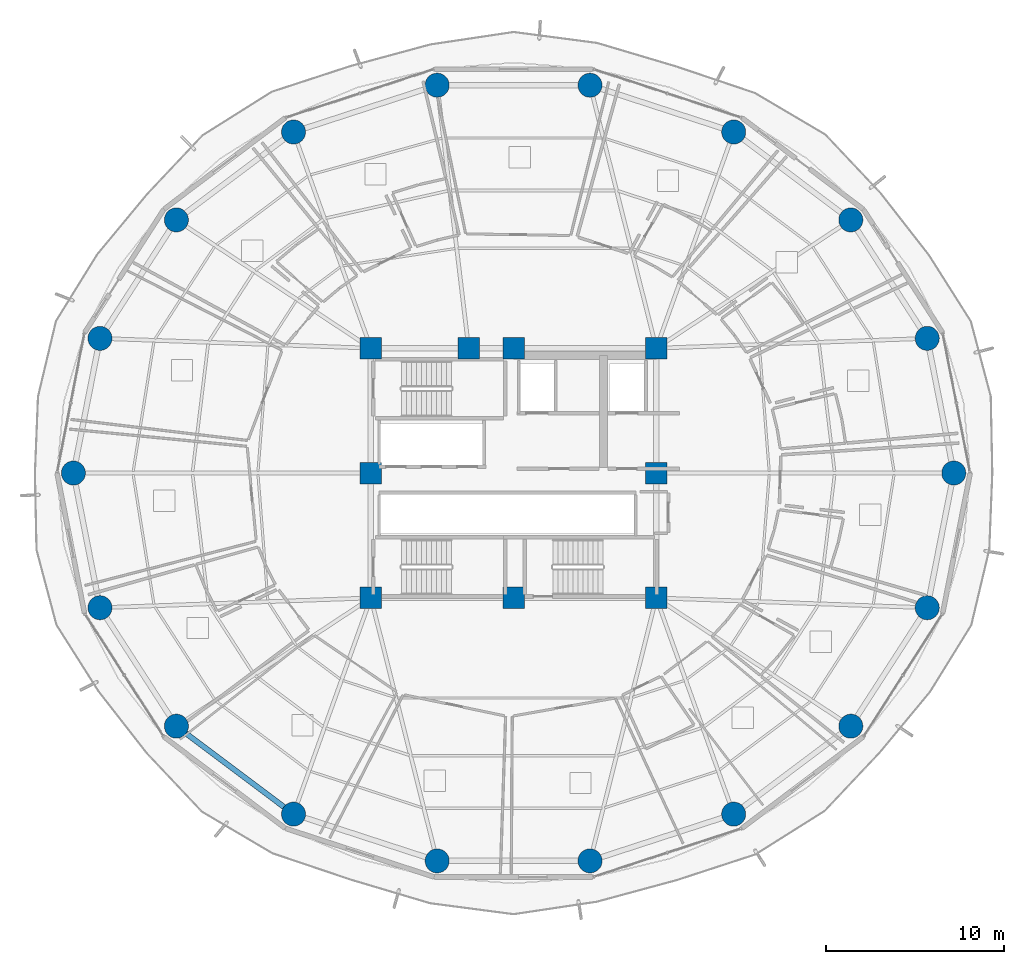
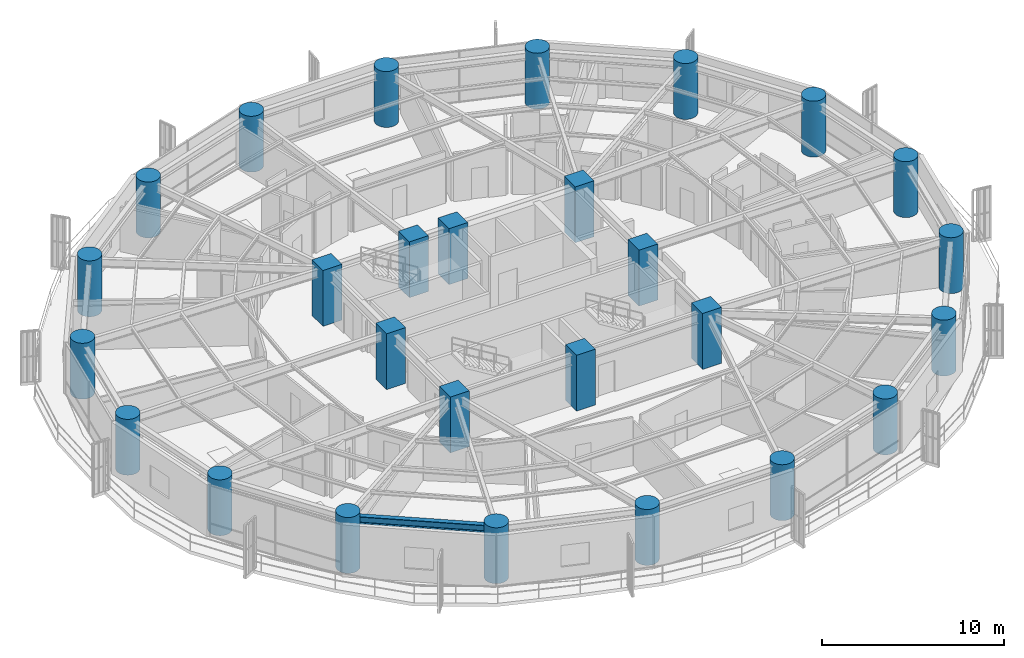
# One storey, part 1 of 38: 27 columns, 1 beam.
"""IFC4 building model written with IfcOpenShell, lengths in metres."""

from ifc_helpers import new_model, si_unit, direction, frame, origin, origin_2d, place, context, subcontext, project, spatial, rectangle, circle, i_section, extrude, material, material_profile, profile_set, type_object, element, save


model = new_model("IFC4")

# Units and contexts
model_context = context("Model", 3, precision=1e-05, world=origin(), true_north=direction((0.0, 1.0)))
body_context = subcontext(model_context, "Body", "Model", "MODEL_VIEW")
ifc_project = project(units=[si_unit("LENGTHUNIT", "METRE"), si_unit("AREAUNIT", "SQUARE_METRE"), si_unit("VOLUMEUNIT", "CUBIC_METRE"), si_unit("PLANEANGLEUNIT", "RADIAN"), si_unit("MASSUNIT", "GRAM", prefix="KILO")], contexts=[model_context])

# Site, building, storey
site_placement = place(None, origin())
site = spatial("IfcSite", under=ifc_project, at=site_placement, CompositionType="ELEMENT")
building_placement = place(site_placement, origin())
building = spatial("IfcBuilding", under=site, at=building_placement, Name="Kelanora Arch Commons", CompositionType="ELEMENT")
storey_placement = place(building_placement, frame((0.0, 0.0, 106.35009765625)))
storey = spatial("IfcBuildingStorey", under=building, at=storey_placement, Name="L27", CompositionType="ELEMENT", Elevation=106.35009765625)

# Columns
ifc_material_1 = material(Name="Concrete C60/75", Category="concrete")
ifc_material_profile_1 = material_profile(ifc_material_1, circle(Radius=0.675048828125, at=origin_2d()), Name="RCC1350")
ifc_profile_set_1 = profile_set([ifc_material_profile_1], Name="Concrete C60/75")
column_type_1 = type_object("IfcColumnType", Name="COL-PERIM-Z2", PredefinedType="COLUMN", material=ifc_profile_set_1)
for number, where, z_axis, x_axis, name in (
    (1, (98.679931640625, 58.0, 0.0), (0.0, 0.0, 1.0), (1.0, 0.0, 0.0), "Perimeter Ring Column CP-00 L27"),
    (2, (97.191650390625, 65.5517578125, 0.0), (0.0, 0.0, 1.0), (1.0, 0.0, 0.0), "Perimeter Ring Column CP-02 L27"),
    (3, (92.906005859375, 72.19287109375, 0.0), (0.0, 0.0, 1.0), (1.0, 0.0, 0.0), "Perimeter Ring Column CP-04 L27"),
    (4, (86.340087890625, 77.121826171875, 0.0), (0.0, 0.0, 1.0), (1.0, 0.0, 0.0), "Perimeter Ring Column CP-06 L27"),
    (5, (78.28564453125, 79.74462890625, 0.0), (0.0, 0.0, 1.0), (1.0, 0.0, 0.0), "Perimeter Ring Column CP-08 L27"),
    (6, (69.71435546875, 79.74462890625, 0.0), (0.0, 0.0, 1.0), (1.0, 0.0, 0.0), "Perimeter Ring Column CP-10 L27"),
    (7, (61.659912109375, 77.121826171875, 0.0), (0.0, 0.0, 1.0), (1.0, 0.0, 0.0), "Perimeter Ring Column CP-12 L27"),
    (8, (55.093994140625, 72.19287109375, 0.0), (0.0, 0.0, 1.0), (1.0, 0.0, 0.0), "Perimeter Ring Column CP-14 L27"),
    (9, (50.808349609375, 65.5517578125, 0.0), (0.0, 0.0, 1.0), (1.0, 0.0, 0.0), "Perimeter Ring Column CP-16 L27"),
    (10, (49.320068359375, 58.0, 0.0), (0.0, 0.0, 1.0), (1.0, 0.0, 0.0), "Perimeter Ring Column CP-18 L27"),
    (11, (50.808349609375, 50.4482421875, 0.0), (0.0, 0.0, 1.0), (1.0, 0.0, 0.0), "Perimeter Ring Column CP-20 L27"),
    (12, (55.093994140625, 43.80712890625, 0.0), (0.0, 0.0, 1.0), (1.0, 0.0, 0.0), "Perimeter Ring Column CP-22 L27"),
    (13, (61.659912109375, 38.878173828125, 0.0), (0.0, 0.0, 1.0), (1.0, 0.0, 0.0), "Perimeter Ring Column CP-24 L27"),
    (14, (69.71435546875, 36.25537109375, 0.0), (0.0, 0.0, 1.0), (1.0, 0.0, 0.0), "Perimeter Ring Column CP-26 L27"),
    (15, (78.28564453125, 36.25537109375, 0.0), (0.0, 0.0, 1.0), (1.0, 0.0, 0.0), "Perimeter Ring Column CP-28 L27"),
    (16, (86.340087890625, 38.878173828125, 0.0), (0.0, 0.0, 1.0), (1.0, 0.0, 0.0), "Perimeter Ring Column CP-30 L27"),
    (17, (92.906005859375, 43.80712890625, 0.0), (0.0, 0.0, 1.0), (1.0, 0.0, 0.0), "Perimeter Ring Column CP-32 L27"),
    (18, (97.191650390625, 50.4482421875, 0.0), (0.0, 0.0, 1.0), (1.0, 0.0, 0.0), "Perimeter Ring Column CP-34 L27"),
):
    element("IfcColumn", number, at=place(storey_placement, frame(where, z_axis=z_axis, x_axis=x_axis)), inside=storey, type_object=column_type_1, Name=name, PredefinedType="COLUMN", context=body_context, shape_type="SweptSolid", body=[
        extrude(circle(Radius=0.675048828125, at=origin_2d()), origin(), (0.0, 0.0, 1.0), 3.75),
    ])
ifc_material_profile_2 = material_profile(ifc_material_1, rectangle(XDim=1.199951171875, YDim=1.199951171875, at=origin_2d()), Name="RC1200x1200")
ifc_profile_set_2 = profile_set([ifc_material_profile_2], Name="Concrete C60/75")
column_type_2 = type_object("IfcColumnType", Name="COL-PIL-MID", PredefinedType="PILASTER", material=ifc_profile_set_2)
for number, where, z_axis, x_axis, name in (
    (19, (66.0, 51.0, 0.0), (0.0, 0.0, 1.0), (1.0, 0.0, 0.0), "Core Pilaster Column CP1 L27"),
    (20, (74.0, 51.0, 0.0), (0.0, 0.0, 1.0), (1.0, 0.0, 0.0), "Core Pilaster Column CP2 L27"),
    (21, (82.0, 51.0, 0.0), (0.0, 0.0, 1.0), (1.0, 0.0, 0.0), "Core Pilaster Column CP3 L27"),
    (22, (82.0, 58.0, 0.0), (0.0, 0.0, 1.0), (1.0, 0.0, 0.0), "Core Pilaster Column CP4 L27"),
    (23, (82.0, 65.0, 0.0), (0.0, 0.0, 1.0), (1.0, 0.0, 0.0), "Core Pilaster Column CP5 L27"),
    (24, (74.0, 65.0, 0.0), (0.0, 0.0, 1.0), (1.0, 0.0, 0.0), "Core Pilaster Column CP6 L27"),
    (25, (71.47998046875, 65.0, 0.0), (0.0, 0.0, 1.0), (1.0, 0.0, 0.0), "Core Pilaster Column CP9 L27"),
    (26, (66.0, 65.0, 0.0), (0.0, 0.0, 1.0), (1.0, 0.0, 0.0), "Core Pilaster Column CP7 L27"),
    (27, (66.0, 58.0, 0.0), (0.0, 0.0, 1.0), (1.0, 0.0, 0.0), "Core Pilaster Column CP8 L27"),
):
    element("IfcColumn", number, at=place(storey_placement, frame(where, z_axis=z_axis, x_axis=x_axis)), inside=storey, type_object=column_type_2, Name=name, PredefinedType="PILASTER", context=body_context, shape_type="SweptSolid", body=[
        extrude(rectangle(XDim=1.199951171875, YDim=1.199951171875, at=origin_2d()), origin(), (0.0, 0.0, 1.0), 3.75),
    ])

# Beam
ifc_material_2 = material(Name="Steel S355", Category="steel")
ifc_material_profile_3 = material_profile(ifc_material_2, i_section(OverallWidth=0.300048828125, OverallDepth=0.5, WebThickness=0.014404296875, FlangeThickness=0.028076171875, FilletRadius=0.027099609375, at=origin_2d()), Name="HEB500")
ifc_profile_set_3 = profile_set([ifc_material_profile_3], Name="Steel S355")
beam_type = type_object("IfcBeamType", Name="BM-SPN-Z2", PredefinedType="SPANDREL", material=ifc_profile_set_3)
beam_placement = place(storey_placement, frame((55.093994140625, 43.80712890625, 3.239990234375), z_axis=(0.799735861602, -0.600352023123, 0.0), x_axis=(0.600352023123, 0.799735861602, 0.0)))
element("IfcBeam", 28, at=beam_placement, inside=storey, type_object=beam_type, Name="Perimeter Spandrel Beam BS-22 L27", PredefinedType="SPANDREL", context=body_context, shape_type="SweptSolid", body=[
    extrude(i_section(OverallWidth=0.300048828125, OverallDepth=0.5, WebThickness=0.014404296875, FlangeThickness=0.028076171875, FilletRadius=0.027099609375, at=origin_2d()), origin(), (0.0, 0.0, 1.0), 8.210205078125),
])

save(model, "model.ifc")
